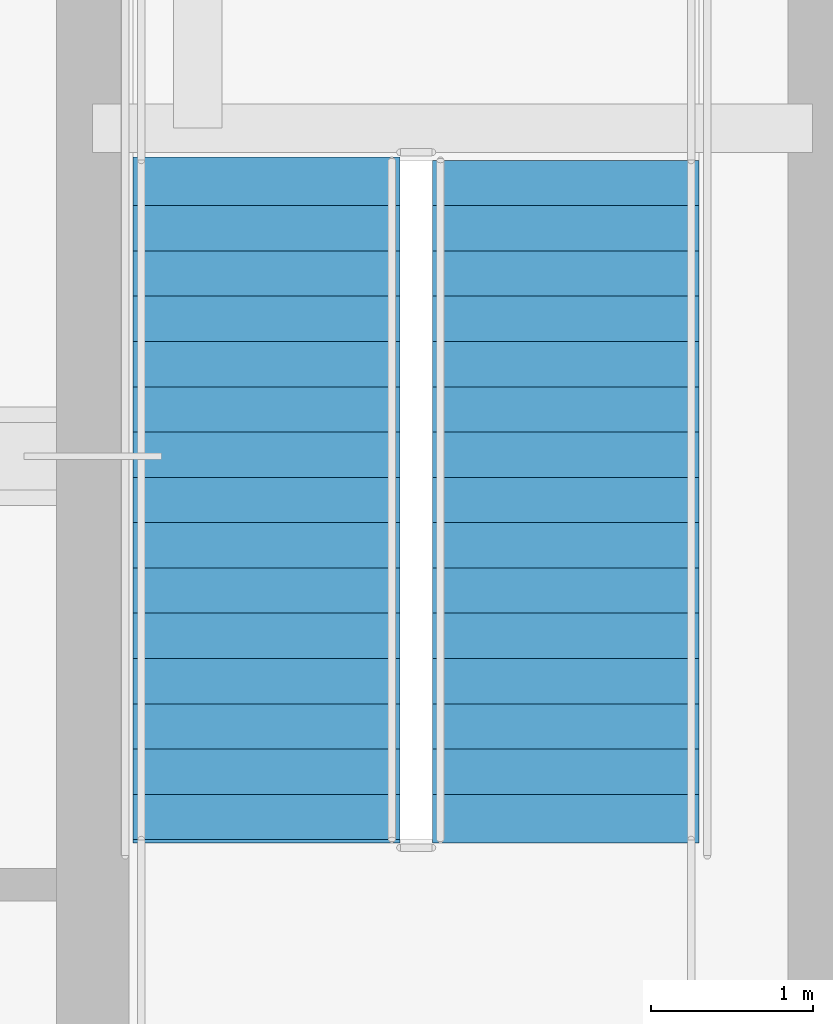
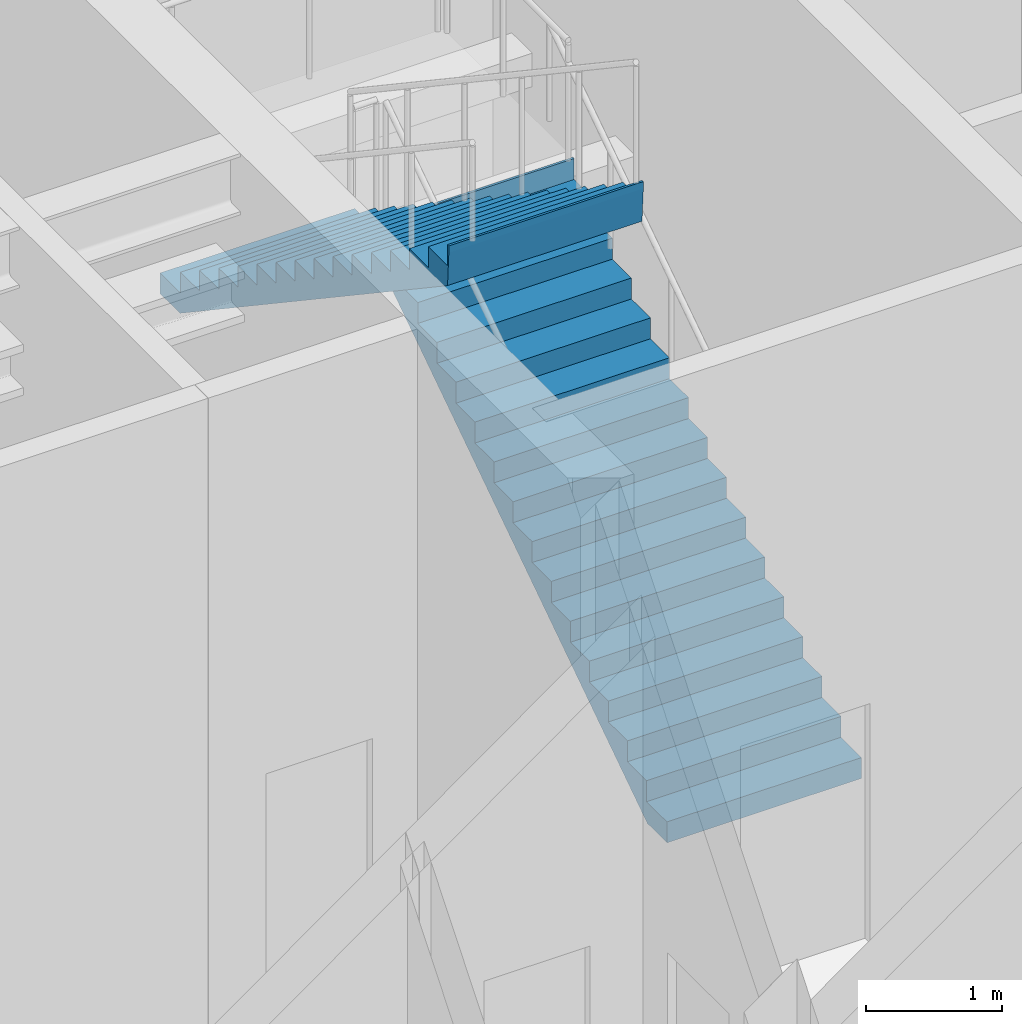
# One storey, part 16 of 21: 2 stair flights, 1 element without a shape of its own.
"""IFC4 building model written with IfcOpenShell, lengths in metres."""

from ifc_helpers import new_model, si_unit, direction, frame, origin, place, context, subcontext, project, spatial, polygons, material, type_object, element, aggregate, save


model = new_model("IFC4")

# Units and contexts
model_context = context("Model", 3, precision=1e-05, world=origin(), true_north=direction((0.0, 1.0)))
body_context = subcontext(model_context, "Body", "Model", "MODEL_VIEW")
ifc_project = project(units=[si_unit("LENGTHUNIT", "METRE"), si_unit("AREAUNIT", "SQUARE_METRE"), si_unit("VOLUMEUNIT", "CUBIC_METRE"), si_unit("PLANEANGLEUNIT", "RADIAN"), si_unit("MASSUNIT", "GRAM", prefix="KILO")], contexts=[model_context])

# Site, building, storey
site_placement = place(None, origin())
site = spatial("IfcSite", under=ifc_project, at=site_placement, CompositionType="ELEMENT")
building_placement = place(site_placement, origin())
building = spatial("IfcBuilding", under=site, at=building_placement, Name="Serunith Strait Residences", CompositionType="ELEMENT")
storey_placement = place(building_placement, frame((0.0, 0.0, 109.199951171875)))
storey = spatial("IfcBuildingStorey", under=building, at=storey_placement, Name="L27", CompositionType="ELEMENT", Elevation=109.199951171875)

# Stair, stair flights
ifc_material = material(Name="Concrete C50/60", Category="concrete")
stair_type = type_object("IfcStairType", Name="STR-CORE-1", PredefinedType="HALF_TURN_STAIR", material=ifc_material)
stair_placement = place(storey_placement, origin())
stair = element("IfcStair", 1, at=stair_placement, inside=storey, type_object=stair_type, Name="L27 Protected Escape Stair ST-1", PredefinedType="HALF_TURN_STAIR")
stair_flight_type = type_object("IfcStairFlightType", Name="FLT-CORE-1", PredefinedType="STRAIGHT", material=ifc_material)
stair_flight_1_placement = place(storey_placement, frame((26.324951171875, 27.030029296875, 0.0), z_axis=(0.0, 0.0, 1.0), x_axis=(0.0, 1.0, 0.0)))
stair_flight_1 = element("IfcStairFlight", 2, at=stair_flight_1_placement, type_object=stair_flight_type, Name="ST-1 flight 1", NumberOfRisers=16, NumberOfTreads=15, PredefinedType="STRAIGHT", RiserHeight=0.1875, TreadLength=0.28, context=body_context, shape_type="Tessellation", body=[
    polygons([(-0.02001953125, -0.824951171875, 0.0), (-0.02001953125, -0.824951171875, 0.1875), (0.280029296875, -0.824951171875, 0.1875), (0.280029296875, -0.824951171875, 0.375), (0.56005859375, -0.824951171875, 0.375), (0.56005859375, -0.824951171875, 0.5625), (0.840087890625, -0.824951171875, 0.5625), (0.840087890625, -0.824951171875, 0.75), (1.1201171875, -0.824951171875, 0.75), (1.1201171875, -0.824951171875, 0.9375), (1.39990234375, -0.824951171875, 0.9375), (1.39990234375, -0.824951171875, 1.125), (1.679931640625, -0.824951171875, 1.125), (1.679931640625, -0.824951171875, 1.3125), (1.9599609375, -0.824951171875, 1.3125), (1.9599609375, -0.824951171875, 1.5), (2.239990234375, -0.824951171875, 1.5), (2.239990234375, -0.824951171875, 1.6875), (2.52001953125, -0.824951171875, 1.6875), (2.52001953125, -0.824951171875, 1.875), (2.800048828125, -0.824951171875, 1.875), (2.800048828125, -0.824951171875, 2.0625), (3.080078125, -0.824951171875, 2.0625), (3.080078125, -0.824951171875, 2.25), (3.360107421875, -0.824951171875, 2.25), (3.360107421875, -0.824951171875, 2.4375), (3.639892578125, -0.824951171875, 2.4375), (3.639892578125, -0.824951171875, 2.625), (3.919921875, -0.824951171875, 2.625), (3.919921875, -0.824951171875, 2.8125), (4.199951171875, -0.824951171875, 2.8125), (4.199951171875, -0.824951171875, 3.0), (4.219970703125, -0.824951171875, 3.0), (4.219970703125, -0.824951171875, 2.93994140625), (4.199951171875, -0.824951171875, 2.632080078125), (0.26953125, -0.824951171875, 0.0), (-0.02001953125, -0.41259765625, 0.0), (-0.02001953125, -0.41259765625, 0.1875), (0.280029296875, -0.41259765625, 0.1875), (0.280029296875, -0.41259765625, 0.375), (0.56005859375, -0.41259765625, 0.375), (0.56005859375, -0.41259765625, 0.5625), (0.840087890625, -0.41259765625, 0.5625), (0.840087890625, -0.41259765625, 0.75), (1.1201171875, -0.41259765625, 0.75), (1.1201171875, -0.41259765625, 0.9375), (1.39990234375, -0.41259765625, 0.9375), (1.39990234375, -0.41259765625, 1.125), (1.679931640625, -0.41259765625, 1.125), (1.679931640625, -0.41259765625, 1.3125), (1.9599609375, -0.41259765625, 1.3125), (1.9599609375, -0.41259765625, 1.5), (2.239990234375, -0.41259765625, 1.5), (2.239990234375, -0.41259765625, 1.6875), (2.52001953125, -0.41259765625, 1.6875), (2.52001953125, -0.41259765625, 1.875), (2.800048828125, -0.41259765625, 1.875), (2.800048828125, -0.41259765625, 2.0625), (3.080078125, -0.41259765625, 2.0625), (3.080078125, -0.41259765625, 2.25), (3.360107421875, -0.41259765625, 2.25), (3.360107421875, -0.41259765625, 2.4375), (3.639892578125, -0.41259765625, 2.4375), (3.639892578125, -0.41259765625, 2.625), (3.919921875, -0.41259765625, 2.625), (3.919921875, -0.41259765625, 2.8125), (4.199951171875, -0.41259765625, 2.8125), (4.199951171875, -0.41259765625, 3.0), (4.219970703125, -0.41259765625, 3.0), (4.219970703125, -0.41259765625, 2.93994140625), (4.199951171875, -0.41259765625, 2.632080078125), (0.26953125, -0.41259765625, 0.0), (-0.02001953125, 0.0, 0.0), (-0.02001953125, 0.0, 0.1875), (0.280029296875, 0.0, 0.1875), (0.280029296875, 0.0, 0.375), (0.56005859375, 0.0, 0.375), (0.56005859375, 0.0, 0.5625), (0.840087890625, 0.0, 0.5625), (0.840087890625, 0.0, 0.75), (1.1201171875, 0.0, 0.75), (1.1201171875, 0.0, 0.9375), (1.39990234375, 0.0, 0.9375), (1.39990234375, 0.0, 1.125), (1.679931640625, 0.0, 1.125), (1.679931640625, 0.0, 1.3125), (1.9599609375, 0.0, 1.3125), (1.9599609375, 0.0, 1.5), (2.239990234375, 0.0, 1.5), (2.239990234375, 0.0, 1.6875), (2.52001953125, 0.0, 1.6875), (2.52001953125, 0.0, 1.875), (2.800048828125, 0.0, 1.875), (2.800048828125, 0.0, 2.0625), (3.080078125, 0.0, 2.0625), (3.080078125, 0.0, 2.25), (3.360107421875, 0.0, 2.25), (3.360107421875, 0.0, 2.4375), (3.639892578125, 0.0, 2.4375), (3.639892578125, 0.0, 2.625), (3.919921875, 0.0, 2.625), (3.919921875, 0.0, 2.8125), (4.199951171875, 0.0, 2.8125), (4.199951171875, 0.0, 3.0), (4.219970703125, 0.0, 3.0), (4.219970703125, 0.0, 2.93994140625), (4.199951171875, 0.0, 2.632080078125), (0.26953125, 0.0, 0.0), (-0.02001953125, 0.41259765625, 0.0), (-0.02001953125, 0.41259765625, 0.1875), (0.280029296875, 0.41259765625, 0.1875), (0.280029296875, 0.41259765625, 0.375), (0.56005859375, 0.41259765625, 0.375), (0.56005859375, 0.41259765625, 0.5625), (0.840087890625, 0.41259765625, 0.5625), (0.840087890625, 0.41259765625, 0.75), (1.1201171875, 0.41259765625, 0.75), (1.1201171875, 0.41259765625, 0.9375), (1.39990234375, 0.41259765625, 0.9375), (1.39990234375, 0.41259765625, 1.125), (1.679931640625, 0.41259765625, 1.125), (1.679931640625, 0.41259765625, 1.3125), (1.9599609375, 0.41259765625, 1.3125), (1.9599609375, 0.41259765625, 1.5), (2.239990234375, 0.41259765625, 1.5), (2.239990234375, 0.41259765625, 1.6875), (2.52001953125, 0.41259765625, 1.6875), (2.52001953125, 0.41259765625, 1.875), (2.800048828125, 0.41259765625, 1.875), (2.800048828125, 0.41259765625, 2.0625), (3.080078125, 0.41259765625, 2.0625), (3.080078125, 0.41259765625, 2.25), (3.360107421875, 0.41259765625, 2.25), (3.360107421875, 0.41259765625, 2.4375), (3.639892578125, 0.41259765625, 2.4375), (3.639892578125, 0.41259765625, 2.625), (3.919921875, 0.41259765625, 2.625), (3.919921875, 0.41259765625, 2.8125), (4.199951171875, 0.41259765625, 2.8125), (4.199951171875, 0.41259765625, 3.0), (4.219970703125, 0.41259765625, 3.0), (4.219970703125, 0.41259765625, 2.93994140625), (4.199951171875, 0.41259765625, 2.632080078125), (0.26953125, 0.41259765625, 0.0), (-0.02001953125, 0.824951171875, 0.0), (-0.02001953125, 0.824951171875, 0.1875), (0.280029296875, 0.824951171875, 0.1875), (0.280029296875, 0.824951171875, 0.375), (0.56005859375, 0.824951171875, 0.375), (0.56005859375, 0.824951171875, 0.5625), (0.840087890625, 0.824951171875, 0.5625), (0.840087890625, 0.824951171875, 0.75), (1.1201171875, 0.824951171875, 0.75), (1.1201171875, 0.824951171875, 0.9375), (1.39990234375, 0.824951171875, 0.9375), (1.39990234375, 0.824951171875, 1.125), (1.679931640625, 0.824951171875, 1.125), (1.679931640625, 0.824951171875, 1.3125), (1.9599609375, 0.824951171875, 1.3125), (1.9599609375, 0.824951171875, 1.5), (2.239990234375, 0.824951171875, 1.5), (2.239990234375, 0.824951171875, 1.6875), (2.52001953125, 0.824951171875, 1.6875), (2.52001953125, 0.824951171875, 1.875), (2.800048828125, 0.824951171875, 1.875), (2.800048828125, 0.824951171875, 2.0625), (3.080078125, 0.824951171875, 2.0625), (3.080078125, 0.824951171875, 2.25), (3.360107421875, 0.824951171875, 2.25), (3.360107421875, 0.824951171875, 2.4375), (3.639892578125, 0.824951171875, 2.4375), (3.639892578125, 0.824951171875, 2.625), (3.919921875, 0.824951171875, 2.625), (3.919921875, 0.824951171875, 2.8125), (4.199951171875, 0.824951171875, 2.8125), (4.199951171875, 0.824951171875, 3.0), (4.219970703125, 0.824951171875, 3.0), (4.219970703125, 0.824951171875, 2.93994140625), (4.199951171875, 0.824951171875, 2.632080078125), (0.26953125, 0.824951171875, 0.0)], [[[1, 2, 38, 37]], [[2, 3, 39, 38]], [[3, 4, 40, 39]], [[4, 5, 41, 40]], [[5, 6, 42, 41]], [[6, 7, 43, 42]], [[7, 8, 44, 43]], [[8, 9, 45, 44]], [[9, 10, 46, 45]], [[10, 11, 47, 46]], [[11, 12, 48, 47]], [[12, 13, 49, 48]], [[13, 14, 50, 49]], [[14, 15, 51, 50]], [[15, 16, 52, 51]], [[16, 17, 53, 52]], [[17, 18, 54, 53]], [[18, 19, 55, 54]], [[19, 20, 56, 55]], [[20, 21, 57, 56]], [[21, 22, 58, 57]], [[22, 23, 59, 58]], [[23, 24, 60, 59]], [[24, 25, 61, 60]], [[25, 26, 62, 61]], [[26, 27, 63, 62]], [[27, 28, 64, 63]], [[28, 29, 65, 64]], [[29, 30, 66, 65]], [[30, 31, 67, 66]], [[31, 32, 68, 67]], [[32, 33, 69, 68]], [[33, 34, 70, 69]], [[34, 35, 71, 70]], [[35, 36, 72, 71]], [[36, 1, 37, 72]], [[37, 38, 74, 73]], [[38, 39, 75, 74]], [[39, 40, 76, 75]], [[40, 41, 77, 76]], [[41, 42, 78, 77]], [[42, 43, 79, 78]], [[43, 44, 80, 79]], [[44, 45, 81, 80]], [[45, 46, 82, 81]], [[46, 47, 83, 82]], [[47, 48, 84, 83]], [[48, 49, 85, 84]], [[49, 50, 86, 85]], [[50, 51, 87, 86]], [[51, 52, 88, 87]], [[52, 53, 89, 88]], [[53, 54, 90, 89]], [[54, 55, 91, 90]], [[55, 56, 92, 91]], [[56, 57, 93, 92]], [[57, 58, 94, 93]], [[58, 59, 95, 94]], [[59, 60, 96, 95]], [[60, 61, 97, 96]], [[61, 62, 98, 97]], [[62, 63, 99, 98]], [[63, 64, 100, 99]], [[64, 65, 101, 100]], [[65, 66, 102, 101]], [[66, 67, 103, 102]], [[67, 68, 104, 103]], [[68, 69, 105, 104]], [[69, 70, 106, 105]], [[70, 71, 107, 106]], [[71, 72, 108, 107]], [[72, 37, 73, 108]], [[73, 74, 110, 109]], [[74, 75, 111, 110]], [[75, 76, 112, 111]], [[76, 77, 113, 112]], [[77, 78, 114, 113]], [[78, 79, 115, 114]], [[79, 80, 116, 115]], [[80, 81, 117, 116]], [[81, 82, 118, 117]], [[82, 83, 119, 118]], [[83, 84, 120, 119]], [[84, 85, 121, 120]], [[85, 86, 122, 121]], [[86, 87, 123, 122]], [[87, 88, 124, 123]], [[88, 89, 125, 124]], [[89, 90, 126, 125]], [[90, 91, 127, 126]], [[91, 92, 128, 127]], [[92, 93, 129, 128]], [[93, 94, 130, 129]], [[94, 95, 131, 130]], [[95, 96, 132, 131]], [[96, 97, 133, 132]], [[97, 98, 134, 133]], [[98, 99, 135, 134]], [[99, 100, 136, 135]], [[100, 101, 137, 136]], [[101, 102, 138, 137]], [[102, 103, 139, 138]], [[103, 104, 140, 139]], [[104, 105, 141, 140]], [[105, 106, 142, 141]], [[106, 107, 143, 142]], [[107, 108, 144, 143]], [[108, 73, 109, 144]], [[109, 110, 146, 145]], [[110, 111, 147, 146]], [[111, 112, 148, 147]], [[112, 113, 149, 148]], [[113, 114, 150, 149]], [[114, 115, 151, 150]], [[115, 116, 152, 151]], [[116, 117, 153, 152]], [[117, 118, 154, 153]], [[118, 119, 155, 154]], [[119, 120, 156, 155]], [[120, 121, 157, 156]], [[121, 122, 158, 157]], [[122, 123, 159, 158]], [[123, 124, 160, 159]], [[124, 125, 161, 160]], [[125, 126, 162, 161]], [[126, 127, 163, 162]], [[127, 128, 164, 163]], [[128, 129, 165, 164]], [[129, 130, 166, 165]], [[130, 131, 167, 166]], [[131, 132, 168, 167]], [[132, 133, 169, 168]], [[133, 134, 170, 169]], [[134, 135, 171, 170]], [[135, 136, 172, 171]], [[136, 137, 173, 172]], [[137, 138, 174, 173]], [[138, 139, 175, 174]], [[139, 140, 176, 175]], [[140, 141, 177, 176]], [[141, 142, 178, 177]], [[142, 143, 179, 178]], [[143, 144, 180, 179]], [[144, 109, 145, 180]], [[36, 35, 34, 33, 32, 31, 30, 29, 28, 27, 26, 25, 24, 23, 22, 21, 20, 19, 18, 17, 16, 15, 14, 13, 12, 11, 10, 9, 8, 7, 6, 5, 4, 3, 2, 1]], [[145, 146, 147, 148, 149, 150, 151, 152, 153, 154, 155, 156, 157, 158, 159, 160, 161, 162, 163, 164, 165, 166, 167, 168, 169, 170, 171, 172, 173, 174, 175, 176, 177, 178, 179, 180]]], closed=True),
])
stair_flight_2_placement = place(storey_placement, frame((24.47509765625, 31.22998046875, 3.0), z_axis=(0.0, 0.0, 1.0), x_axis=(0.0, -1.0, 0.0)))
stair_flight_2 = element("IfcStairFlight", 3, at=stair_flight_2_placement, type_object=stair_flight_type, Name="ST-1 flight 2", NumberOfRisers=16, NumberOfTreads=15, PredefinedType="STRAIGHT", RiserHeight=0.1875, TreadLength=0.28, context=body_context, shape_type="Tessellation", body=[
    polygons([(-0.02001953125, -0.824951171875, 0.0), (-0.02001953125, -0.824951171875, 0.1875), (0.280029296875, -0.824951171875, 0.1875), (0.280029296875, -0.824951171875, 0.375), (0.56005859375, -0.824951171875, 0.375), (0.56005859375, -0.824951171875, 0.5625), (0.840087890625, -0.824951171875, 0.5625), (0.840087890625, -0.824951171875, 0.75), (1.1201171875, -0.824951171875, 0.75), (1.1201171875, -0.824951171875, 0.9375), (1.39990234375, -0.824951171875, 0.9375), (1.39990234375, -0.824951171875, 1.125), (1.679931640625, -0.824951171875, 1.125), (1.679931640625, -0.824951171875, 1.3125), (1.9599609375, -0.824951171875, 1.3125), (1.9599609375, -0.824951171875, 1.5), (2.239990234375, -0.824951171875, 1.5), (2.239990234375, -0.824951171875, 1.6875), (2.52001953125, -0.824951171875, 1.6875), (2.52001953125, -0.824951171875, 1.875), (2.800048828125, -0.824951171875, 1.875), (2.800048828125, -0.824951171875, 2.0625), (3.080078125, -0.824951171875, 2.0625), (3.080078125, -0.824951171875, 2.25), (3.360107421875, -0.824951171875, 2.25), (3.360107421875, -0.824951171875, 2.4375), (3.639892578125, -0.824951171875, 2.4375), (3.639892578125, -0.824951171875, 2.625), (3.919921875, -0.824951171875, 2.625), (3.919921875, -0.824951171875, 2.8125), (4.199951171875, -0.824951171875, 2.8125), (4.199951171875, -0.824951171875, 3.0), (4.219970703125, -0.824951171875, 3.0), (4.219970703125, -0.824951171875, 2.93994140625), (4.199951171875, -0.824951171875, 2.632080078125), (0.26953125, -0.824951171875, 0.0), (-0.02001953125, -0.41259765625, 0.0), (-0.02001953125, -0.41259765625, 0.1875), (0.280029296875, -0.41259765625, 0.1875), (0.280029296875, -0.41259765625, 0.375), (0.56005859375, -0.41259765625, 0.375), (0.56005859375, -0.41259765625, 0.5625), (0.840087890625, -0.41259765625, 0.5625), (0.840087890625, -0.41259765625, 0.75), (1.1201171875, -0.41259765625, 0.75), (1.1201171875, -0.41259765625, 0.9375), (1.39990234375, -0.41259765625, 0.9375), (1.39990234375, -0.41259765625, 1.125), (1.679931640625, -0.41259765625, 1.125), (1.679931640625, -0.41259765625, 1.3125), (1.9599609375, -0.41259765625, 1.3125), (1.9599609375, -0.41259765625, 1.5), (2.239990234375, -0.41259765625, 1.5), (2.239990234375, -0.41259765625, 1.6875), (2.52001953125, -0.41259765625, 1.6875), (2.52001953125, -0.41259765625, 1.875), (2.800048828125, -0.41259765625, 1.875), (2.800048828125, -0.41259765625, 2.0625), (3.080078125, -0.41259765625, 2.0625), (3.080078125, -0.41259765625, 2.25), (3.360107421875, -0.41259765625, 2.25), (3.360107421875, -0.41259765625, 2.4375), (3.639892578125, -0.41259765625, 2.4375), (3.639892578125, -0.41259765625, 2.625), (3.919921875, -0.41259765625, 2.625), (3.919921875, -0.41259765625, 2.8125), (4.199951171875, -0.41259765625, 2.8125), (4.199951171875, -0.41259765625, 3.0), (4.219970703125, -0.41259765625, 3.0), (4.219970703125, -0.41259765625, 2.93994140625), (4.199951171875, -0.41259765625, 2.632080078125), (0.26953125, -0.41259765625, 0.0), (-0.02001953125, 0.0, 0.0), (-0.02001953125, 0.0, 0.1875), (0.280029296875, 0.0, 0.1875), (0.280029296875, 0.0, 0.375), (0.56005859375, 0.0, 0.375), (0.56005859375, 0.0, 0.5625), (0.840087890625, 0.0, 0.5625), (0.840087890625, 0.0, 0.75), (1.1201171875, 0.0, 0.75), (1.1201171875, 0.0, 0.9375), (1.39990234375, 0.0, 0.9375), (1.39990234375, 0.0, 1.125), (1.679931640625, 0.0, 1.125), (1.679931640625, 0.0, 1.3125), (1.9599609375, 0.0, 1.3125), (1.9599609375, 0.0, 1.5), (2.239990234375, 0.0, 1.5), (2.239990234375, 0.0, 1.6875), (2.52001953125, 0.0, 1.6875), (2.52001953125, 0.0, 1.875), (2.800048828125, 0.0, 1.875), (2.800048828125, 0.0, 2.0625), (3.080078125, 0.0, 2.0625), (3.080078125, 0.0, 2.25), (3.360107421875, 0.0, 2.25), (3.360107421875, 0.0, 2.4375), (3.639892578125, 0.0, 2.4375), (3.639892578125, 0.0, 2.625), (3.919921875, 0.0, 2.625), (3.919921875, 0.0, 2.8125), (4.199951171875, 0.0, 2.8125), (4.199951171875, 0.0, 3.0), (4.219970703125, 0.0, 3.0), (4.219970703125, 0.0, 2.93994140625), (4.199951171875, 0.0, 2.632080078125), (0.26953125, 0.0, 0.0), (-0.02001953125, 0.41259765625, 0.0), (-0.02001953125, 0.41259765625, 0.1875), (0.280029296875, 0.41259765625, 0.1875), (0.280029296875, 0.41259765625, 0.375), (0.56005859375, 0.41259765625, 0.375), (0.56005859375, 0.41259765625, 0.5625), (0.840087890625, 0.41259765625, 0.5625), (0.840087890625, 0.41259765625, 0.75), (1.1201171875, 0.41259765625, 0.75), (1.1201171875, 0.41259765625, 0.9375), (1.39990234375, 0.41259765625, 0.9375), (1.39990234375, 0.41259765625, 1.125), (1.679931640625, 0.41259765625, 1.125), (1.679931640625, 0.41259765625, 1.3125), (1.9599609375, 0.41259765625, 1.3125), (1.9599609375, 0.41259765625, 1.5), (2.239990234375, 0.41259765625, 1.5), (2.239990234375, 0.41259765625, 1.6875), (2.52001953125, 0.41259765625, 1.6875), (2.52001953125, 0.41259765625, 1.875), (2.800048828125, 0.41259765625, 1.875), (2.800048828125, 0.41259765625, 2.0625), (3.080078125, 0.41259765625, 2.0625), (3.080078125, 0.41259765625, 2.25), (3.360107421875, 0.41259765625, 2.25), (3.360107421875, 0.41259765625, 2.4375), (3.639892578125, 0.41259765625, 2.4375), (3.639892578125, 0.41259765625, 2.625), (3.919921875, 0.41259765625, 2.625), (3.919921875, 0.41259765625, 2.8125), (4.199951171875, 0.41259765625, 2.8125), (4.199951171875, 0.41259765625, 3.0), (4.219970703125, 0.41259765625, 3.0), (4.219970703125, 0.41259765625, 2.93994140625), (4.199951171875, 0.41259765625, 2.632080078125), (0.26953125, 0.41259765625, 0.0), (-0.02001953125, 0.824951171875, 0.0), (-0.02001953125, 0.824951171875, 0.1875), (0.280029296875, 0.824951171875, 0.1875), (0.280029296875, 0.824951171875, 0.375), (0.56005859375, 0.824951171875, 0.375), (0.56005859375, 0.824951171875, 0.5625), (0.840087890625, 0.824951171875, 0.5625), (0.840087890625, 0.824951171875, 0.75), (1.1201171875, 0.824951171875, 0.75), (1.1201171875, 0.824951171875, 0.9375), (1.39990234375, 0.824951171875, 0.9375), (1.39990234375, 0.824951171875, 1.125), (1.679931640625, 0.824951171875, 1.125), (1.679931640625, 0.824951171875, 1.3125), (1.9599609375, 0.824951171875, 1.3125), (1.9599609375, 0.824951171875, 1.5), (2.239990234375, 0.824951171875, 1.5), (2.239990234375, 0.824951171875, 1.6875), (2.52001953125, 0.824951171875, 1.6875), (2.52001953125, 0.824951171875, 1.875), (2.800048828125, 0.824951171875, 1.875), (2.800048828125, 0.824951171875, 2.0625), (3.080078125, 0.824951171875, 2.0625), (3.080078125, 0.824951171875, 2.25), (3.360107421875, 0.824951171875, 2.25), (3.360107421875, 0.824951171875, 2.4375), (3.639892578125, 0.824951171875, 2.4375), (3.639892578125, 0.824951171875, 2.625), (3.919921875, 0.824951171875, 2.625), (3.919921875, 0.824951171875, 2.8125), (4.199951171875, 0.824951171875, 2.8125), (4.199951171875, 0.824951171875, 3.0), (4.219970703125, 0.824951171875, 3.0), (4.219970703125, 0.824951171875, 2.93994140625), (4.199951171875, 0.824951171875, 2.632080078125), (0.26953125, 0.824951171875, 0.0)], [[[1, 2, 38, 37]], [[2, 3, 39, 38]], [[3, 4, 40, 39]], [[4, 5, 41, 40]], [[5, 6, 42, 41]], [[6, 7, 43, 42]], [[7, 8, 44, 43]], [[8, 9, 45, 44]], [[9, 10, 46, 45]], [[10, 11, 47, 46]], [[11, 12, 48, 47]], [[12, 13, 49, 48]], [[13, 14, 50, 49]], [[14, 15, 51, 50]], [[15, 16, 52, 51]], [[16, 17, 53, 52]], [[17, 18, 54, 53]], [[18, 19, 55, 54]], [[19, 20, 56, 55]], [[20, 21, 57, 56]], [[21, 22, 58, 57]], [[22, 23, 59, 58]], [[23, 24, 60, 59]], [[24, 25, 61, 60]], [[25, 26, 62, 61]], [[26, 27, 63, 62]], [[27, 28, 64, 63]], [[28, 29, 65, 64]], [[29, 30, 66, 65]], [[30, 31, 67, 66]], [[31, 32, 68, 67]], [[32, 33, 69, 68]], [[33, 34, 70, 69]], [[34, 35, 71, 70]], [[35, 36, 72, 71]], [[36, 1, 37, 72]], [[37, 38, 74, 73]], [[38, 39, 75, 74]], [[39, 40, 76, 75]], [[40, 41, 77, 76]], [[41, 42, 78, 77]], [[42, 43, 79, 78]], [[43, 44, 80, 79]], [[44, 45, 81, 80]], [[45, 46, 82, 81]], [[46, 47, 83, 82]], [[47, 48, 84, 83]], [[48, 49, 85, 84]], [[49, 50, 86, 85]], [[50, 51, 87, 86]], [[51, 52, 88, 87]], [[52, 53, 89, 88]], [[53, 54, 90, 89]], [[54, 55, 91, 90]], [[55, 56, 92, 91]], [[56, 57, 93, 92]], [[57, 58, 94, 93]], [[58, 59, 95, 94]], [[59, 60, 96, 95]], [[60, 61, 97, 96]], [[61, 62, 98, 97]], [[62, 63, 99, 98]], [[63, 64, 100, 99]], [[64, 65, 101, 100]], [[65, 66, 102, 101]], [[66, 67, 103, 102]], [[67, 68, 104, 103]], [[68, 69, 105, 104]], [[69, 70, 106, 105]], [[70, 71, 107, 106]], [[71, 72, 108, 107]], [[72, 37, 73, 108]], [[73, 74, 110, 109]], [[74, 75, 111, 110]], [[75, 76, 112, 111]], [[76, 77, 113, 112]], [[77, 78, 114, 113]], [[78, 79, 115, 114]], [[79, 80, 116, 115]], [[80, 81, 117, 116]], [[81, 82, 118, 117]], [[82, 83, 119, 118]], [[83, 84, 120, 119]], [[84, 85, 121, 120]], [[85, 86, 122, 121]], [[86, 87, 123, 122]], [[87, 88, 124, 123]], [[88, 89, 125, 124]], [[89, 90, 126, 125]], [[90, 91, 127, 126]], [[91, 92, 128, 127]], [[92, 93, 129, 128]], [[93, 94, 130, 129]], [[94, 95, 131, 130]], [[95, 96, 132, 131]], [[96, 97, 133, 132]], [[97, 98, 134, 133]], [[98, 99, 135, 134]], [[99, 100, 136, 135]], [[100, 101, 137, 136]], [[101, 102, 138, 137]], [[102, 103, 139, 138]], [[103, 104, 140, 139]], [[104, 105, 141, 140]], [[105, 106, 142, 141]], [[106, 107, 143, 142]], [[107, 108, 144, 143]], [[108, 73, 109, 144]], [[109, 110, 146, 145]], [[110, 111, 147, 146]], [[111, 112, 148, 147]], [[112, 113, 149, 148]], [[113, 114, 150, 149]], [[114, 115, 151, 150]], [[115, 116, 152, 151]], [[116, 117, 153, 152]], [[117, 118, 154, 153]], [[118, 119, 155, 154]], [[119, 120, 156, 155]], [[120, 121, 157, 156]], [[121, 122, 158, 157]], [[122, 123, 159, 158]], [[123, 124, 160, 159]], [[124, 125, 161, 160]], [[125, 126, 162, 161]], [[126, 127, 163, 162]], [[127, 128, 164, 163]], [[128, 129, 165, 164]], [[129, 130, 166, 165]], [[130, 131, 167, 166]], [[131, 132, 168, 167]], [[132, 133, 169, 168]], [[133, 134, 170, 169]], [[134, 135, 171, 170]], [[135, 136, 172, 171]], [[136, 137, 173, 172]], [[137, 138, 174, 173]], [[138, 139, 175, 174]], [[139, 140, 176, 175]], [[140, 141, 177, 176]], [[141, 142, 178, 177]], [[142, 143, 179, 178]], [[143, 144, 180, 179]], [[144, 109, 145, 180]], [[36, 35, 34, 33, 32, 31, 30, 29, 28, 27, 26, 25, 24, 23, 22, 21, 20, 19, 18, 17, 16, 15, 14, 13, 12, 11, 10, 9, 8, 7, 6, 5, 4, 3, 2, 1]], [[145, 146, 147, 148, 149, 150, 151, 152, 153, 154, 155, 156, 157, 158, 159, 160, 161, 162, 163, 164, 165, 166, 167, 168, 169, 170, 171, 172, 173, 174, 175, 176, 177, 178, 179, 180]]], closed=True),
])
aggregate(stair, [stair_flight_1, stair_flight_2])

save(model, "model.ifc")
